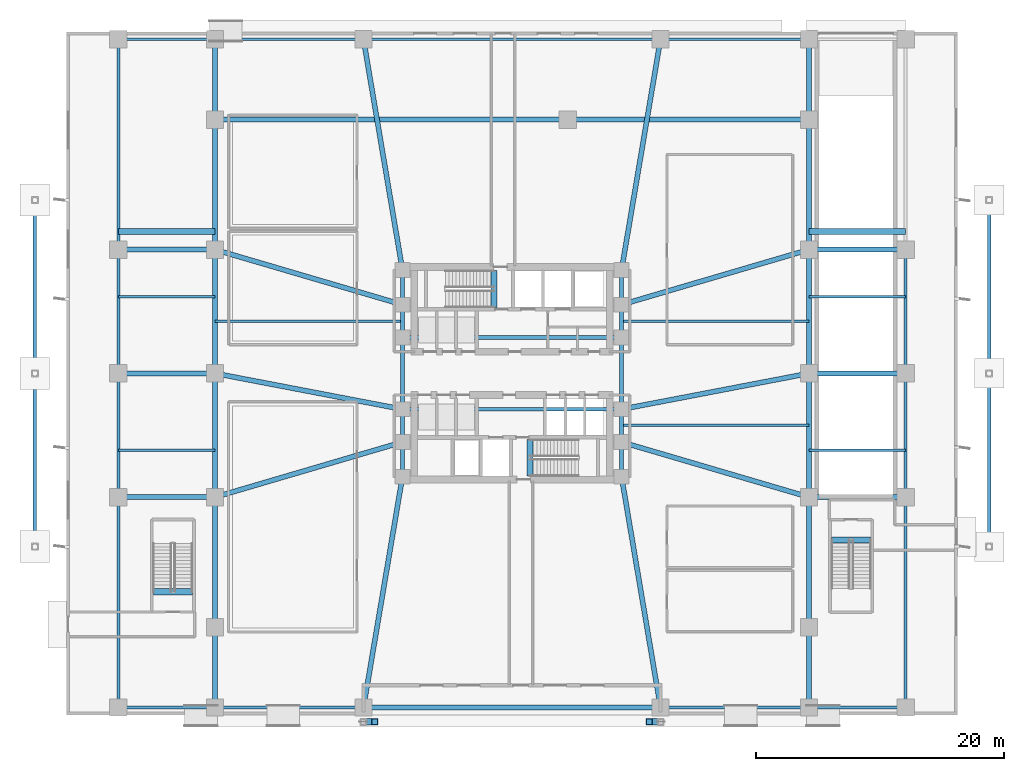
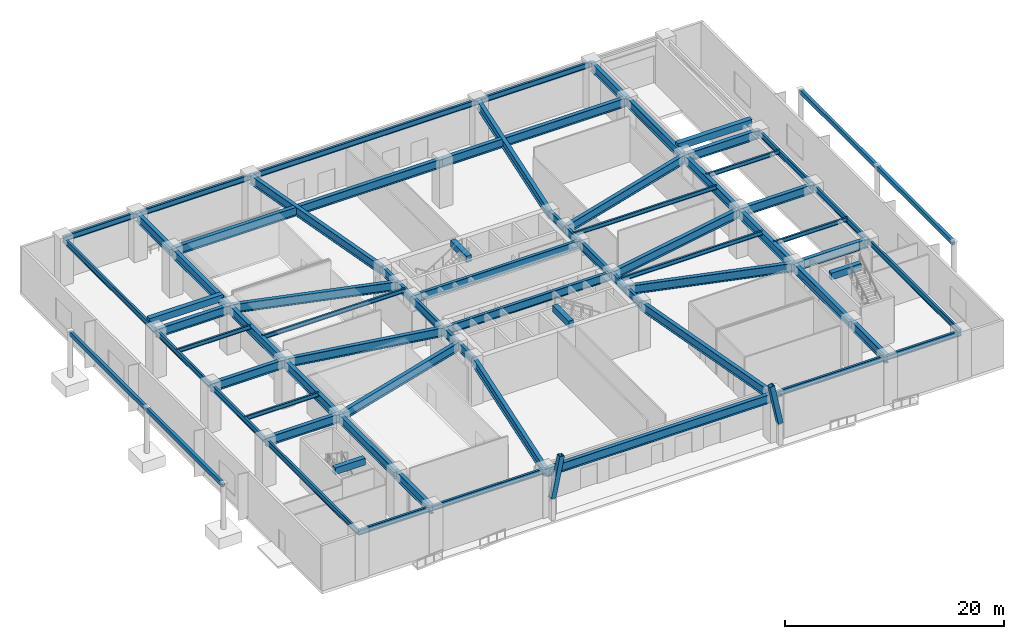
# One storey, part 6 of 20: 75 beams, 2 members.
"""IFC4 building model written with IfcOpenShell, lengths in metres."""

from ifc_helpers import new_model, si_unit, direction, frame, origin, origin_2d, place, context, subcontext, project, spatial, rectangle, hollow_rectangle, i_section, extrude, material, material_profile, profile_set, type_object, element, save


model = new_model("IFC4")

# Units and contexts
model_context = context("Model", 3, precision=1e-05, world=origin(), true_north=direction((0.0, 1.0)))
body_context = subcontext(model_context, "Body", "Model", "MODEL_VIEW")
ifc_project = project(units=[si_unit("LENGTHUNIT", "METRE"), si_unit("AREAUNIT", "SQUARE_METRE"), si_unit("VOLUMEUNIT", "CUBIC_METRE"), si_unit("PLANEANGLEUNIT", "RADIAN"), si_unit("MASSUNIT", "GRAM", prefix="KILO")], contexts=[model_context])

# Site, building, storey
site_placement = place(None, origin())
site = spatial("IfcSite", under=ifc_project, at=site_placement, CompositionType="ELEMENT")
building_placement = place(site_placement, origin())
building = spatial("IfcBuilding", under=site, at=building_placement, Name="Solmarez Civic Tower", CompositionType="ELEMENT")
storey_placement = place(building_placement, origin())
storey = spatial("IfcBuildingStorey", under=building, at=storey_placement, Name="L00", CompositionType="ELEMENT", Elevation=0.0)

# Beams
ifc_material_1 = material(Name="Steel S355", Category="steel")
ifc_material_profile_1 = material_profile(ifc_material_1, i_section(OverallWidth=0.19189453125, OverallDepth=0.462890625, WebThickness=0.010498046875, FlangeThickness=0.017578125, at=origin_2d()), Name="W18X60")
ifc_profile_set_1 = profile_set([ifc_material_profile_1], Name="Steel S355")
beam_type_1 = type_object("IfcBeamType", Name="BM-JS-W18X60", PredefinedType="JOIST", material=ifc_profile_set_1)
beam_1_placement = place(storey_placement, frame((8.85009765625, -4.199951171875, 4.84912109375), z_axis=(1.0, 0.0, 0.0), x_axis=(0.0, 1.0, 0.0)))
element("IfcBeam", 1, at=beam_1_placement, inside=storey, type_object=beam_type_1, Name="L00 Secondary Floor Joist JS-L00-EM1", PredefinedType="JOIST", context=body_context, shape_type="SweptSolid", body=[
    extrude(i_section(OverallWidth=0.19189453125, OverallDepth=0.462890625, WebThickness=0.010498046875, FlangeThickness=0.017578125, at=origin_2d()), origin(), (0.0, 0.0, 1.0), 15.14990234375),
])
for number, where, z_axis, x_axis, name in (
    (2, (-31.800048828125, -6.199951171875, 4.84912109375), (1.0, 0.0, 0.0), (0.0, 1.0, 0.0), "L00 Secondary Floor Joist JS-L00-WW1"),
    (3, (24.0, -6.199951171875, 4.84912109375), (1.0, 0.0, 0.0), (0.0, 1.0, 0.0), "L00 Secondary Floor Joist JS-L00-EE1"),
):
    element("IfcBeam", number, at=place(storey_placement, frame(where, z_axis=z_axis, x_axis=x_axis)), inside=storey, type_object=beam_type_1, Name=name, PredefinedType="JOIST", context=body_context, shape_type="SweptSolid", body=[
        extrude(i_section(OverallWidth=0.19189453125, OverallDepth=0.462890625, WebThickness=0.010498046875, FlangeThickness=0.017578125, at=origin_2d()), origin(), (0.0, 0.0, 1.0), 7.800048828125),
    ])
for number, where, z_axis, x_axis, name in (
    (4, (-24.0, 4.199951171875, 4.84912109375), (1.0, 0.0, 0.0), (0.0, 1.0, 0.0), "L00 Secondary Floor Joist JS-L00-WM2"),
    (5, (8.85009765625, 4.199951171875, 4.84912109375), (1.0, 0.0, 0.0), (0.0, 1.0, 0.0), "L00 Secondary Floor Joist JS-L00-EM2"),
):
    element("IfcBeam", number, at=place(storey_placement, frame(where, z_axis=z_axis, x_axis=x_axis)), inside=storey, type_object=beam_type_1, Name=name, PredefinedType="JOIST", context=body_context, shape_type="SweptSolid", body=[
        extrude(i_section(OverallWidth=0.19189453125, OverallDepth=0.462890625, WebThickness=0.010498046875, FlangeThickness=0.017578125, at=origin_2d()), origin(), (0.0, 0.0, 1.0), 15.14990234375),
    ])
for number, where, z_axis, x_axis, name in (
    (6, (-31.800048828125, 6.199951171875, 4.84912109375), (1.0, 0.0, 0.0), (0.0, 1.0, 0.0), "L00 Secondary Floor Joist JS-L00-WW2"),
    (7, (24.0, 6.199951171875, 4.84912109375), (1.0, 0.0, 0.0), (0.0, 1.0, 0.0), "L00 Secondary Floor Joist JS-L00-EE2"),
):
    element("IfcBeam", number, at=place(storey_placement, frame(where, z_axis=z_axis, x_axis=x_axis)), inside=storey, type_object=beam_type_1, Name=name, PredefinedType="JOIST", context=body_context, shape_type="SweptSolid", body=[
        extrude(i_section(OverallWidth=0.19189453125, OverallDepth=0.462890625, WebThickness=0.010498046875, FlangeThickness=0.017578125, at=origin_2d()), origin(), (0.0, 0.0, 1.0), 7.800048828125),
    ])
ifc_material_2 = material(Name="Concrete C50/60", Category="concrete")
ifc_material_profile_2 = material_profile(ifc_material_2, rectangle(XDim=0.5, YDim=0.75, at=origin_2d()), Name="RC500X750")
ifc_profile_set_2 = profile_set([ifc_material_profile_2], Name="Concrete C50/60")
beam_type_2 = type_object("IfcBeamType", Name="BM-PR-RC500X750", PredefinedType="BEAM", material=ifc_profile_set_2)
for number, where, z_axis, x_axis, name in (
    (8, (-1.449951171875, 5.340087890625, 5.032958984375), (0.0, 1.0, 0.0), (-1.0, 0.0, 0.0), "L00 North Stair Threshold Beam"),
    (9, (1.449951171875, -8.300048828125, 5.032958984375), (0.0, 1.0, 0.0), (-1.0, 0.0, 0.0), "L00 South Stair Threshold Beam"),
):
    element("IfcBeam", number, at=place(storey_placement, frame(where, z_axis=z_axis, x_axis=x_axis)), inside=storey, type_object=beam_type_2, Name=name, PredefinedType="BEAM", context=body_context, shape_type="SweptSolid", body=[
        extrude(rectangle(XDim=0.5, YDim=0.75, at=origin_2d()), origin(), (0.0, 0.0, 1.0), 2.9599609375),
    ])
for number, where, z_axis, x_axis, name in (
    (10, (-28.97998046875, -17.64990234375, 5.031005859375), (1.0, 0.0, 0.0), (0.0, 1.0, 0.0), "L00 West Podium Stair Threshold Beam"),
    (11, (25.820068359375, -13.449951171875, 5.031005859375), (1.0, 0.0, 0.0), (0.0, 1.0, 0.0), "L00 East Podium Stair Threshold Beam"),
):
    element("IfcBeam", number, at=place(storey_placement, frame(where, z_axis=z_axis, x_axis=x_axis)), inside=storey, type_object=beam_type_2, Name=name, PredefinedType="BEAM", context=body_context, shape_type="SweptSolid", body=[
        extrude(rectangle(XDim=0.5, YDim=0.75, at=origin_2d()), origin(), (0.0, 0.0, 1.0), 3.159912109375),
    ])
for number, where, z_axis, x_axis, name in (
    (12, (-31.800048828125, 11.449951171875, 5.031005859375), (1.0, 0.0, 0.0), (0.0, 1.0, 0.0), "L00 Atrium Stair Bottom Threshold Beam P3"),
    (13, (24.0, 11.449951171875, 5.031005859375), (1.0, 0.0, 0.0), (0.0, 1.0, 0.0), "L00 Atrium Stair Bottom Threshold Beam P4"),
):
    element("IfcBeam", number, at=place(storey_placement, frame(where, z_axis=z_axis, x_axis=x_axis)), inside=storey, type_object=beam_type_2, Name=name, PredefinedType="BEAM", context=body_context, shape_type="SweptSolid", body=[
        extrude(rectangle(XDim=0.5, YDim=0.75, at=origin_2d()), origin(), (0.0, 0.0, 1.0), 7.800048828125),
    ])
ifc_material_profile_3 = material_profile(ifc_material_1, i_section(OverallWidth=0.306884765625, OverallDepth=0.927001953125, WebThickness=0.019287109375, FlangeThickness=0.031982421875, at=origin_2d()), Name="W36X194")
ifc_profile_set_3 = profile_set([ifc_material_profile_3], Name="Steel S355")
beam_type_3 = type_object("IfcBeamType", Name="BM-PR-W36X194", PredefinedType="BEAM", material=ifc_profile_set_3)
beam_2_placement = place(storey_placement, frame((-8.85009765625, -8.35009765625, 4.616943359375), z_axis=(0.0, 1.0, 0.0), x_axis=(-1.0, 0.0, 0.0)))
element("IfcBeam", 14, at=beam_2_placement, inside=storey, type_object=beam_type_3, Name="L00 Primary Floor Beam BM-L00-HC12-HC1", PredefinedType="BEAM", context=body_context, shape_type="SweptSolid", body=[
    extrude(i_section(OverallWidth=0.306884765625, OverallDepth=0.927001953125, WebThickness=0.019287109375, FlangeThickness=0.031982421875, at=origin_2d()), origin(), (0.0, 0.0, 1.0), 2.800048828125),
])
beam_3_placement = place(storey_placement, frame((-8.85009765625, -5.550048828125, 4.616943359375), z_axis=(0.0, 1.0, 0.0), x_axis=(-1.0, 0.0, 0.0)))
element("IfcBeam", 15, at=beam_3_placement, inside=storey, type_object=beam_type_3, Name="L00 Primary Floor Beam BM-L00-HC1-HC2", PredefinedType="BEAM", context=body_context, shape_type="SweptSolid", body=[
    extrude(i_section(OverallWidth=0.306884765625, OverallDepth=0.927001953125, WebThickness=0.019287109375, FlangeThickness=0.031982421875, at=origin_2d()), origin(), (0.0, 0.0, 1.0), 2.650146484375),
])
beam_4_placement = place(storey_placement, frame((-8.85009765625, -2.89990234375, 4.616943359375), z_axis=(0.0, 1.0, 0.0), x_axis=(-1.0, 0.0, 0.0)))
element("IfcBeam", 16, at=beam_4_placement, inside=storey, type_object=beam_type_3, Name="L00 Primary Floor Beam BM-L00-HC2-HC3", PredefinedType="BEAM", context=body_context, shape_type="SweptSolid", body=[
    extrude(i_section(OverallWidth=0.306884765625, OverallDepth=0.927001953125, WebThickness=0.019287109375, FlangeThickness=0.031982421875, at=origin_2d()), origin(), (0.0, 0.0, 1.0), 5.7998046875),
])
beam_5_placement = place(storey_placement, frame((-8.85009765625, 2.89990234375, 4.616943359375), z_axis=(0.0, 1.0, 0.0), x_axis=(-1.0, 0.0, 0.0)))
element("IfcBeam", 17, at=beam_5_placement, inside=storey, type_object=beam_type_3, Name="L00 Primary Floor Beam BM-L00-HC3-HC4", PredefinedType="BEAM", context=body_context, shape_type="SweptSolid", body=[
    extrude(i_section(OverallWidth=0.306884765625, OverallDepth=0.927001953125, WebThickness=0.019287109375, FlangeThickness=0.031982421875, at=origin_2d()), origin(), (0.0, 0.0, 1.0), 2.650146484375),
])
for number, where, z_axis, x_axis, name in (
    (18, (-8.85009765625, 5.550048828125, 4.616943359375), (0.0, 1.0, 0.0), (-1.0, 0.0, 0.0), "L00 Primary Floor Beam BM-L00-HC4-HC9"),
    (19, (8.85009765625, -8.35009765625, 4.616943359375), (0.0, 1.0, 0.0), (-1.0, 0.0, 0.0), "L00 Primary Floor Beam BM-L00-HC10-HC5"),
):
    element("IfcBeam", number, at=place(storey_placement, frame(where, z_axis=z_axis, x_axis=x_axis)), inside=storey, type_object=beam_type_3, Name=name, PredefinedType="BEAM", context=body_context, shape_type="SweptSolid", body=[
        extrude(i_section(OverallWidth=0.306884765625, OverallDepth=0.927001953125, WebThickness=0.019287109375, FlangeThickness=0.031982421875, at=origin_2d()), origin(), (0.0, 0.0, 1.0), 2.800048828125),
    ])
beam_6_placement = place(storey_placement, frame((8.85009765625, -5.550048828125, 4.616943359375), z_axis=(0.0, 1.0, 0.0), x_axis=(-1.0, 0.0, 0.0)))
element("IfcBeam", 20, at=beam_6_placement, inside=storey, type_object=beam_type_3, Name="L00 Primary Floor Beam BM-L00-HC5-HC6", PredefinedType="BEAM", context=body_context, shape_type="SweptSolid", body=[
    extrude(i_section(OverallWidth=0.306884765625, OverallDepth=0.927001953125, WebThickness=0.019287109375, FlangeThickness=0.031982421875, at=origin_2d()), origin(), (0.0, 0.0, 1.0), 2.650146484375),
])
beam_7_placement = place(storey_placement, frame((8.85009765625, -2.89990234375, 4.616943359375), z_axis=(0.0, 1.0, 0.0), x_axis=(-1.0, 0.0, 0.0)))
element("IfcBeam", 21, at=beam_7_placement, inside=storey, type_object=beam_type_3, Name="L00 Primary Floor Beam BM-L00-HC6-HC7", PredefinedType="BEAM", context=body_context, shape_type="SweptSolid", body=[
    extrude(i_section(OverallWidth=0.306884765625, OverallDepth=0.927001953125, WebThickness=0.019287109375, FlangeThickness=0.031982421875, at=origin_2d()), origin(), (0.0, 0.0, 1.0), 5.7998046875),
])
beam_8_placement = place(storey_placement, frame((8.85009765625, 2.89990234375, 4.616943359375), z_axis=(0.0, 1.0, 0.0), x_axis=(-1.0, 0.0, 0.0)))
element("IfcBeam", 22, at=beam_8_placement, inside=storey, type_object=beam_type_3, Name="L00 Primary Floor Beam BM-L00-HC7-HC8", PredefinedType="BEAM", context=body_context, shape_type="SweptSolid", body=[
    extrude(i_section(OverallWidth=0.306884765625, OverallDepth=0.927001953125, WebThickness=0.019287109375, FlangeThickness=0.031982421875, at=origin_2d()), origin(), (0.0, 0.0, 1.0), 2.650146484375),
])
beam_9_placement = place(storey_placement, frame((8.85009765625, 5.550048828125, 4.616943359375), z_axis=(0.0, 1.0, 0.0), x_axis=(-1.0, 0.0, 0.0)))
element("IfcBeam", 23, at=beam_9_placement, inside=storey, type_object=beam_type_3, Name="L00 Primary Floor Beam BM-L00-HC8-HC11", PredefinedType="BEAM", context=body_context, shape_type="SweptSolid", body=[
    extrude(i_section(OverallWidth=0.306884765625, OverallDepth=0.927001953125, WebThickness=0.019287109375, FlangeThickness=0.031982421875, at=origin_2d()), origin(), (0.0, 0.0, 1.0), 2.800048828125),
])
for number, where, z_axis, x_axis, name in (
    (24, (-8.85009765625, -2.89990234375, 4.616943359375), (1.0, 0.0, 0.0), (0.0, 1.0, 0.0), "L00 Primary Floor Beam BM-L00-HC2-HC6"),
    (25, (-8.85009765625, 2.89990234375, 4.616943359375), (1.0, 0.0, 0.0), (0.0, 1.0, 0.0), "L00 Primary Floor Beam BM-L00-HC3-HC7"),
):
    element("IfcBeam", number, at=place(storey_placement, frame(where, z_axis=z_axis, x_axis=x_axis)), inside=storey, type_object=beam_type_3, Name=name, PredefinedType="BEAM", context=body_context, shape_type="SweptSolid", body=[
        extrude(i_section(OverallWidth=0.306884765625, OverallDepth=0.927001953125, WebThickness=0.019287109375, FlangeThickness=0.031982421875, at=origin_2d()), origin(), (0.0, 0.0, 1.0), 17.7001953125),
    ])
ifc_material_profile_4 = material_profile(ifc_material_1, i_section(OverallWidth=0.39892578125, OverallDepth=0.98193359375, WebThickness=0.0166015625, FlangeThickness=0.027099609375, at=origin_2d()), Name="W40X199")
ifc_profile_set_4 = profile_set([ifc_material_profile_4], Name="Steel S355")
beam_type_4 = type_object("IfcBeamType", Name="BM-PR-W40X199", PredefinedType="BEAM", material=ifc_profile_set_4)
beam_10_placement = place(storey_placement, frame((-12.0, -27.0, 4.589111328125), z_axis=(1.0, 0.0, 0.0), x_axis=(0.0, 1.0, 0.0)))
element("IfcBeam", 26, at=beam_10_placement, inside=storey, type_object=beam_type_4, Name="L00 Primary Floor Beam BM-L00-PC03-PC04", PredefinedType="BEAM", context=body_context, shape_type="SweptSolid", body=[
    extrude(i_section(OverallWidth=0.39892578125, OverallDepth=0.98193359375, WebThickness=0.0166015625, FlangeThickness=0.027099609375, at=origin_2d()), origin(), (0.0, 0.0, 1.0), 24.0),
])
beam_11_placement = place(storey_placement, frame((-24.0, 20.5, 4.589111328125), z_axis=(1.0, 0.0, 0.0), x_axis=(0.0, 1.0, 0.0)))
element("IfcBeam", 27, at=beam_11_placement, inside=storey, type_object=beam_type_4, Name="L00 Primary Floor Beam BM-L00-PC29-PC25", PredefinedType="BEAM", context=body_context, shape_type="SweptSolid", body=[
    extrude(i_section(OverallWidth=0.39892578125, OverallDepth=0.98193359375, WebThickness=0.0166015625, FlangeThickness=0.027099609375, at=origin_2d()), origin(), (0.0, 0.0, 1.0), 28.5),
])
beam_12_placement = place(storey_placement, frame((4.5, 20.5, 4.589111328125), z_axis=(1.0, 0.0, 0.0), x_axis=(0.0, 1.0, 0.0)))
element("IfcBeam", 28, at=beam_12_placement, inside=storey, type_object=beam_type_4, Name="L00 Primary Floor Beam BM-L00-PC25-PC30", PredefinedType="BEAM", context=body_context, shape_type="SweptSolid", body=[
    extrude(i_section(OverallWidth=0.39892578125, OverallDepth=0.98193359375, WebThickness=0.0166015625, FlangeThickness=0.027099609375, at=origin_2d()), origin(), (0.0, 0.0, 1.0), 19.5),
])
beam_13_placement = place(storey_placement, frame((-24.0, -27.0, 4.589111328125), z_axis=(0.0, 1.0, 0.0), x_axis=(-1.0, 0.0, 0.0)))
element("IfcBeam", 29, at=beam_13_placement, inside=storey, type_object=beam_type_4, Name="L00 Primary Floor Beam BM-L00-PC02-PC27", PredefinedType="BEAM", context=body_context, shape_type="SweptSolid", body=[
    extrude(i_section(OverallWidth=0.39892578125, OverallDepth=0.98193359375, WebThickness=0.0166015625, FlangeThickness=0.027099609375, at=origin_2d()), origin(), (0.0, 0.0, 1.0), 6.5),
])
beam_14_placement = place(storey_placement, frame((-24.0, -20.5, 4.589111328125), z_axis=(0.0, 1.0, 0.0), x_axis=(-1.0, 0.0, 0.0)))
element("IfcBeam", 30, at=beam_14_placement, inside=storey, type_object=beam_type_4, Name="L00 Primary Floor Beam BM-L00-PC27-PC19", PredefinedType="BEAM", context=body_context, shape_type="SweptSolid", body=[
    extrude(i_section(OverallWidth=0.39892578125, OverallDepth=0.98193359375, WebThickness=0.0166015625, FlangeThickness=0.027099609375, at=origin_2d()), origin(), (0.0, 0.0, 1.0), 10.5),
])
for number, where, z_axis, x_axis, name in (
    (31, (-24.0, -10.0, 4.589111328125), (0.0, 1.0, 0.0), (-1.0, 0.0, 0.0), "L00 Primary Floor Beam BM-L00-PC19-PC20"),
    (32, (-24.0, 0.0, 4.589111328125), (0.0, 1.0, 0.0), (-1.0, 0.0, 0.0), "L00 Primary Floor Beam BM-L00-PC20-PC21"),
):
    element("IfcBeam", number, at=place(storey_placement, frame(where, z_axis=z_axis, x_axis=x_axis)), inside=storey, type_object=beam_type_4, Name=name, PredefinedType="BEAM", context=body_context, shape_type="SweptSolid", body=[
        extrude(i_section(OverallWidth=0.39892578125, OverallDepth=0.98193359375, WebThickness=0.0166015625, FlangeThickness=0.027099609375, at=origin_2d()), origin(), (0.0, 0.0, 1.0), 10.0),
    ])
beam_15_placement = place(storey_placement, frame((-24.0, 10.0, 4.589111328125), z_axis=(0.0, 1.0, 0.0), x_axis=(-1.0, 0.0, 0.0)))
element("IfcBeam", 33, at=beam_15_placement, inside=storey, type_object=beam_type_4, Name="L00 Primary Floor Beam BM-L00-PC21-PC29", PredefinedType="BEAM", context=body_context, shape_type="SweptSolid", body=[
    extrude(i_section(OverallWidth=0.39892578125, OverallDepth=0.98193359375, WebThickness=0.0166015625, FlangeThickness=0.027099609375, at=origin_2d()), origin(), (0.0, 0.0, 1.0), 10.5),
])
for number, where, z_axis, x_axis, name in (
    (34, (-24.0, 20.5, 4.589111328125), (0.0, 1.0, 0.0), (-1.0, 0.0, 0.0), "L00 Primary Floor Beam BM-L00-PC29-PC08"),
    (35, (24.0, -27.0, 4.589111328125), (0.0, 1.0, 0.0), (-1.0, 0.0, 0.0), "L00 Primary Floor Beam BM-L00-PC05-PC28"),
):
    element("IfcBeam", number, at=place(storey_placement, frame(where, z_axis=z_axis, x_axis=x_axis)), inside=storey, type_object=beam_type_4, Name=name, PredefinedType="BEAM", context=body_context, shape_type="SweptSolid", body=[
        extrude(i_section(OverallWidth=0.39892578125, OverallDepth=0.98193359375, WebThickness=0.0166015625, FlangeThickness=0.027099609375, at=origin_2d()), origin(), (0.0, 0.0, 1.0), 6.5),
    ])
beam_16_placement = place(storey_placement, frame((24.0, -20.5, 4.589111328125), z_axis=(0.0, 1.0, 0.0), x_axis=(-1.0, 0.0, 0.0)))
element("IfcBeam", 36, at=beam_16_placement, inside=storey, type_object=beam_type_4, Name="L00 Primary Floor Beam BM-L00-PC28-PC22", PredefinedType="BEAM", context=body_context, shape_type="SweptSolid", body=[
    extrude(i_section(OverallWidth=0.39892578125, OverallDepth=0.98193359375, WebThickness=0.0166015625, FlangeThickness=0.027099609375, at=origin_2d()), origin(), (0.0, 0.0, 1.0), 10.5),
])
for number, where, z_axis, x_axis, name in (
    (37, (24.0, -10.0, 4.589111328125), (0.0, 1.0, 0.0), (-1.0, 0.0, 0.0), "L00 Primary Floor Beam BM-L00-PC22-PC23"),
    (38, (24.0, 0.0, 4.589111328125), (0.0, 1.0, 0.0), (-1.0, 0.0, 0.0), "L00 Primary Floor Beam BM-L00-PC23-PC24"),
):
    element("IfcBeam", number, at=place(storey_placement, frame(where, z_axis=z_axis, x_axis=x_axis)), inside=storey, type_object=beam_type_4, Name=name, PredefinedType="BEAM", context=body_context, shape_type="SweptSolid", body=[
        extrude(i_section(OverallWidth=0.39892578125, OverallDepth=0.98193359375, WebThickness=0.0166015625, FlangeThickness=0.027099609375, at=origin_2d()), origin(), (0.0, 0.0, 1.0), 10.0),
    ])
beam_17_placement = place(storey_placement, frame((24.0, 10.0, 4.589111328125), z_axis=(0.0, 1.0, 0.0), x_axis=(-1.0, 0.0, 0.0)))
element("IfcBeam", 39, at=beam_17_placement, inside=storey, type_object=beam_type_4, Name="L00 Primary Floor Beam BM-L00-PC24-PC30", PredefinedType="BEAM", context=body_context, shape_type="SweptSolid", body=[
    extrude(i_section(OverallWidth=0.39892578125, OverallDepth=0.98193359375, WebThickness=0.0166015625, FlangeThickness=0.027099609375, at=origin_2d()), origin(), (0.0, 0.0, 1.0), 10.5),
])
beam_18_placement = place(storey_placement, frame((24.0, 20.5, 4.589111328125), z_axis=(0.0, 1.0, 0.0), x_axis=(-1.0, 0.0, 0.0)))
element("IfcBeam", 40, at=beam_18_placement, inside=storey, type_object=beam_type_4, Name="L00 Primary Floor Beam BM-L00-PC30-PC11", PredefinedType="BEAM", context=body_context, shape_type="SweptSolid", body=[
    extrude(i_section(OverallWidth=0.39892578125, OverallDepth=0.98193359375, WebThickness=0.0166015625, FlangeThickness=0.027099609375, at=origin_2d()), origin(), (0.0, 0.0, 1.0), 6.5),
])
for number, where, z_axis, x_axis, name in (
    (41, (-31.800048828125, -10.0, 4.589111328125), (1.0, 0.0, 0.0), (0.0, 1.0, 0.0), "L00 Primary Floor Beam BM-L00-PC13-PC19"),
    (42, (-31.800048828125, 0.0, 4.589111328125), (1.0, 0.0, 0.0), (0.0, 1.0, 0.0), "L00 Primary Floor Beam BM-L00-PC14-PC20"),
    (43, (-31.800048828125, 10.0, 4.589111328125), (1.0, 0.0, 0.0), (0.0, 1.0, 0.0), "L00 Primary Floor Beam BM-L00-PC15-PC21"),
    (44, (31.800048828125, -10.0, 4.589111328125), (-1.0, 0.0, 0.0), (0.0, -1.0, 0.0), "L00 Primary Floor Beam BM-L00-PC16-PC22"),
    (45, (31.800048828125, 0.0, 4.589111328125), (-1.0, 0.0, 0.0), (0.0, -1.0, 0.0), "L00 Primary Floor Beam BM-L00-PC17-PC23"),
    (46, (31.800048828125, 10.0, 4.589111328125), (-1.0, 0.0, 0.0), (0.0, -1.0, 0.0), "L00 Primary Floor Beam BM-L00-PC18-PC24"),
):
    element("IfcBeam", number, at=place(storey_placement, frame(where, z_axis=z_axis, x_axis=x_axis)), inside=storey, type_object=beam_type_4, Name=name, PredefinedType="BEAM", context=body_context, shape_type="SweptSolid", body=[
        extrude(i_section(OverallWidth=0.39892578125, OverallDepth=0.98193359375, WebThickness=0.0166015625, FlangeThickness=0.027099609375, at=origin_2d()), origin(), (0.0, 0.0, 1.0), 7.800048828125),
    ])
beam_19_placement = place(storey_placement, frame((-24.0, -10.0, 4.589111328125), z_axis=(0.959466630969, 0.281822256143, 0.0), x_axis=(-0.281822256143, 0.959466630969, 0.0)))
element("IfcBeam", 47, at=beam_19_placement, inside=storey, type_object=beam_type_4, Name="L00 Primary Floor Beam BM-L00-PC19-HC1", PredefinedType="BEAM", context=body_context, shape_type="SweptSolid", body=[
    extrude(i_section(OverallWidth=0.39892578125, OverallDepth=0.98193359375, WebThickness=0.0166015625, FlangeThickness=0.027099609375, at=origin_2d()), origin(), (0.0, 0.0, 1.0), 15.7900390625),
])
beam_20_placement = place(storey_placement, frame((-24.0, 0.0, 4.589111328125), z_axis=(0.982168874333, -0.188000803966, 0.0), x_axis=(0.188000803966, 0.982168874333, 0.0)))
element("IfcBeam", 48, at=beam_20_placement, inside=storey, type_object=beam_type_4, Name="L00 Primary Floor Beam BM-L00-PC20-HC2", PredefinedType="BEAM", context=body_context, shape_type="SweptSolid", body=[
    extrude(i_section(OverallWidth=0.39892578125, OverallDepth=0.98193359375, WebThickness=0.0166015625, FlangeThickness=0.027099609375, at=origin_2d()), origin(), (0.0, 0.0, 1.0), 15.425048828125),
])
for number, where, z_axis, x_axis, name in (
    (49, (-24.0, 10.0, 4.589111328125), (0.959466630969, -0.281822256143, 0.0), (0.281822256143, 0.959466630969, 0.0), "L00 Primary Floor Beam BM-L00-PC21-HC4"),
    (50, (24.0, -10.0, 4.589111328125), (-0.959466630969, 0.281822256143, 0.0), (-0.281822256143, -0.959466630969, 0.0), "L00 Primary Floor Beam BM-L00-PC22-HC5"),
):
    element("IfcBeam", number, at=place(storey_placement, frame(where, z_axis=z_axis, x_axis=x_axis)), inside=storey, type_object=beam_type_4, Name=name, PredefinedType="BEAM", context=body_context, shape_type="SweptSolid", body=[
        extrude(i_section(OverallWidth=0.39892578125, OverallDepth=0.98193359375, WebThickness=0.0166015625, FlangeThickness=0.027099609375, at=origin_2d()), origin(), (0.0, 0.0, 1.0), 15.7900390625),
    ])
beam_21_placement = place(storey_placement, frame((24.0, 0.0, 4.589111328125), z_axis=(-0.982168874333, -0.188000803966, 0.0), x_axis=(0.188000803966, -0.982168874333, 0.0)))
element("IfcBeam", 51, at=beam_21_placement, inside=storey, type_object=beam_type_4, Name="L00 Primary Floor Beam BM-L00-PC23-HC6", PredefinedType="BEAM", context=body_context, shape_type="SweptSolid", body=[
    extrude(i_section(OverallWidth=0.39892578125, OverallDepth=0.98193359375, WebThickness=0.0166015625, FlangeThickness=0.027099609375, at=origin_2d()), origin(), (0.0, 0.0, 1.0), 15.425048828125),
])
beam_22_placement = place(storey_placement, frame((24.0, 10.0, 4.589111328125), z_axis=(-0.959466630969, -0.281822256143, 0.0), x_axis=(0.281822256143, -0.959466630969, 0.0)))
element("IfcBeam", 52, at=beam_22_placement, inside=storey, type_object=beam_type_4, Name="L00 Primary Floor Beam BM-L00-PC24-HC8", PredefinedType="BEAM", context=body_context, shape_type="SweptSolid", body=[
    extrude(i_section(OverallWidth=0.39892578125, OverallDepth=0.98193359375, WebThickness=0.0166015625, FlangeThickness=0.027099609375, at=origin_2d()), origin(), (0.0, 0.0, 1.0), 15.7900390625),
])
for number, where, z_axis, x_axis, name in (
    (53, (-12.0, -27.0, 4.589111328125), (0.166537824737, 0.986035066786, 0.0), (-0.986035066786, 0.166537824737, 0.0), "L00 Primary Floor Beam BM-L00-PC03-HC12"),
    (54, (12.0, -27.0, 4.589111328125), (-0.166537824737, 0.986035066786, 0.0), (-0.986035066786, -0.166537824737, 0.0), "L00 Primary Floor Beam BM-L00-PC04-HC10"),
    (55, (-12.0, 27.0, 4.589111328125), (0.166537824737, -0.986035066786, 0.0), (0.986035066786, 0.166537824737, 0.0), "L00 Primary Floor Beam BM-L00-PC09-HC9"),
    (56, (12.0, 27.0, 4.589111328125), (-0.166537824737, -0.986035066786, 0.0), (0.986035066786, -0.166537824737, 0.0), "L00 Primary Floor Beam BM-L00-PC10-HC11"),
):
    element("IfcBeam", number, at=place(storey_placement, frame(where, z_axis=z_axis, x_axis=x_axis)), inside=storey, type_object=beam_type_4, Name=name, PredefinedType="BEAM", context=body_context, shape_type="SweptSolid", body=[
        extrude(i_section(OverallWidth=0.39892578125, OverallDepth=0.98193359375, WebThickness=0.0166015625, FlangeThickness=0.027099609375, at=origin_2d()), origin(), (0.0, 0.0, 1.0), 18.9140625),
    ])
ifc_material_profile_5 = material_profile(ifc_material_1, hollow_rectangle(XDim=0.300048828125, YDim=0.5, WallThickness=0.02001953125, at=origin_2d()), Name="HSS500X300X20")
ifc_profile_set_5 = profile_set([ifc_material_profile_5], Name="Steel S355")
beam_type_5 = type_object("IfcBeamType", Name="BM-SP-HSS500X300", PredefinedType="SPANDREL", material=ifc_profile_set_5)
for number, where, z_axis, x_axis, name in (
    (57, (-38.550048828125, -14.0, 4.550048828125), (0.0, 1.0, 0.0), (-1.0, 0.0, 0.0), "L00 Plaza Canopy Edge Beam BM-CANOPY-W1"),
    (58, (-38.550048828125, 0.0, 4.550048828125), (0.0, 1.0, 0.0), (-1.0, 0.0, 0.0), "L00 Plaza Canopy Edge Beam BM-CANOPY-W2"),
    (59, (38.550048828125, -14.0, 4.550048828125), (0.0, 1.0, 0.0), (-1.0, 0.0, 0.0), "L00 Plaza Canopy Edge Beam BM-CANOPY-E1"),
    (60, (38.550048828125, 0.0, 4.550048828125), (0.0, 1.0, 0.0), (-1.0, 0.0, 0.0), "L00 Plaza Canopy Edge Beam BM-CANOPY-E2"),
):
    element("IfcBeam", number, at=place(storey_placement, frame(where, z_axis=z_axis, x_axis=x_axis)), inside=storey, type_object=beam_type_5, Name=name, PredefinedType="SPANDREL", context=body_context, shape_type="SweptSolid", body=[
        extrude(hollow_rectangle(XDim=0.300048828125, YDim=0.5, WallThickness=0.02001953125, at=origin_2d()), origin(), (0.0, 0.0, 1.0), 14.0),
    ])
ifc_material_profile_6 = material_profile(ifc_material_1, i_section(OverallWidth=0.22900390625, OverallDepth=0.612060546875, WebThickness=0.011962890625, FlangeThickness=0.01953125, at=origin_2d()), Name="W24X84")
ifc_profile_set_6 = profile_set([ifc_material_profile_6], Name="Steel S355")
beam_type_6 = type_object("IfcBeamType", Name="BM-SP-W24X84", PredefinedType="SPANDREL", material=ifc_profile_set_6)
beam_23_placement = place(storey_placement, frame((-31.800048828125, -27.0, 4.77392578125), z_axis=(1.0, 0.0, 0.0), x_axis=(0.0, 1.0, 0.0)))
element("IfcBeam", 61, at=beam_23_placement, inside=storey, type_object=beam_type_6, Name="L00 Perimeter Spandrel Beam BM-L00-PC01-PC02", PredefinedType="SPANDREL", context=body_context, shape_type="SweptSolid", body=[
    extrude(i_section(OverallWidth=0.22900390625, OverallDepth=0.612060546875, WebThickness=0.011962890625, FlangeThickness=0.01953125, at=origin_2d()), origin(), (0.0, 0.0, 1.0), 7.800048828125),
])
for number, where, z_axis, x_axis, name in (
    (62, (-24.0, -27.0, 4.77392578125), (1.0, 0.0, 0.0), (0.0, 1.0, 0.0), "L00 Perimeter Spandrel Beam BM-L00-PC02-PC03"),
    (63, (12.0, -27.0, 4.77392578125), (1.0, 0.0, 0.0), (0.0, 1.0, 0.0), "L00 Perimeter Spandrel Beam BM-L00-PC04-PC05"),
):
    element("IfcBeam", number, at=place(storey_placement, frame(where, z_axis=z_axis, x_axis=x_axis)), inside=storey, type_object=beam_type_6, Name=name, PredefinedType="SPANDREL", context=body_context, shape_type="SweptSolid", body=[
        extrude(i_section(OverallWidth=0.22900390625, OverallDepth=0.612060546875, WebThickness=0.011962890625, FlangeThickness=0.01953125, at=origin_2d()), origin(), (0.0, 0.0, 1.0), 12.0),
    ])
for number, where, z_axis, x_axis, name in (
    (64, (24.0, -27.0, 4.77392578125), (1.0, 0.0, 0.0), (0.0, 1.0, 0.0), "L00 Perimeter Spandrel Beam BM-L00-PC05-PC06"),
    (65, (-31.800048828125, 27.0, 4.77392578125), (1.0, 0.0, 0.0), (0.0, 1.0, 0.0), "L00 Perimeter Spandrel Beam BM-L00-PC07-PC08"),
):
    element("IfcBeam", number, at=place(storey_placement, frame(where, z_axis=z_axis, x_axis=x_axis)), inside=storey, type_object=beam_type_6, Name=name, PredefinedType="SPANDREL", context=body_context, shape_type="SweptSolid", body=[
        extrude(i_section(OverallWidth=0.22900390625, OverallDepth=0.612060546875, WebThickness=0.011962890625, FlangeThickness=0.01953125, at=origin_2d()), origin(), (0.0, 0.0, 1.0), 7.800048828125),
    ])
beam_24_placement = place(storey_placement, frame((-24.0, 27.0, 4.77392578125), z_axis=(1.0, 0.0, 0.0), x_axis=(0.0, 1.0, 0.0)))
element("IfcBeam", 66, at=beam_24_placement, inside=storey, type_object=beam_type_6, Name="L00 Perimeter Spandrel Beam BM-L00-PC08-PC09", PredefinedType="SPANDREL", context=body_context, shape_type="SweptSolid", body=[
    extrude(i_section(OverallWidth=0.22900390625, OverallDepth=0.612060546875, WebThickness=0.011962890625, FlangeThickness=0.01953125, at=origin_2d()), origin(), (0.0, 0.0, 1.0), 12.0),
])
beam_25_placement = place(storey_placement, frame((-12.0, 27.0, 4.77392578125), z_axis=(1.0, 0.0, 0.0), x_axis=(0.0, 1.0, 0.0)))
element("IfcBeam", 67, at=beam_25_placement, inside=storey, type_object=beam_type_6, Name="L00 Perimeter Spandrel Beam BM-L00-PC09-PC10", PredefinedType="SPANDREL", context=body_context, shape_type="SweptSolid", body=[
    extrude(i_section(OverallWidth=0.22900390625, OverallDepth=0.612060546875, WebThickness=0.011962890625, FlangeThickness=0.01953125, at=origin_2d()), origin(), (0.0, 0.0, 1.0), 24.0),
])
beam_26_placement = place(storey_placement, frame((12.0, 27.0, 4.77392578125), z_axis=(1.0, 0.0, 0.0), x_axis=(0.0, 1.0, 0.0)))
element("IfcBeam", 68, at=beam_26_placement, inside=storey, type_object=beam_type_6, Name="L00 Perimeter Spandrel Beam BM-L00-PC10-PC11", PredefinedType="SPANDREL", context=body_context, shape_type="SweptSolid", body=[
    extrude(i_section(OverallWidth=0.22900390625, OverallDepth=0.612060546875, WebThickness=0.011962890625, FlangeThickness=0.01953125, at=origin_2d()), origin(), (0.0, 0.0, 1.0), 12.0),
])
beam_27_placement = place(storey_placement, frame((-31.800048828125, -27.0, 4.77392578125), z_axis=(0.0, 1.0, 0.0), x_axis=(-1.0, 0.0, 0.0)))
element("IfcBeam", 69, at=beam_27_placement, inside=storey, type_object=beam_type_6, Name="L00 Perimeter Spandrel Beam BM-L00-PC01-PC13", PredefinedType="SPANDREL", context=body_context, shape_type="SweptSolid", body=[
    extrude(i_section(OverallWidth=0.22900390625, OverallDepth=0.612060546875, WebThickness=0.011962890625, FlangeThickness=0.01953125, at=origin_2d()), origin(), (0.0, 0.0, 1.0), 17.0),
])
for number, where, z_axis, x_axis, name in (
    (70, (-31.800048828125, -10.0, 4.77392578125), (0.0, 1.0, 0.0), (-1.0, 0.0, 0.0), "L00 Perimeter Spandrel Beam BM-L00-PC13-PC14"),
    (71, (-31.800048828125, 0.0, 4.77392578125), (0.0, 1.0, 0.0), (-1.0, 0.0, 0.0), "L00 Perimeter Spandrel Beam BM-L00-PC14-PC15"),
):
    element("IfcBeam", number, at=place(storey_placement, frame(where, z_axis=z_axis, x_axis=x_axis)), inside=storey, type_object=beam_type_6, Name=name, PredefinedType="SPANDREL", context=body_context, shape_type="SweptSolid", body=[
        extrude(i_section(OverallWidth=0.22900390625, OverallDepth=0.612060546875, WebThickness=0.011962890625, FlangeThickness=0.01953125, at=origin_2d()), origin(), (0.0, 0.0, 1.0), 10.0),
    ])
for number, where, z_axis, x_axis, name in (
    (72, (-31.800048828125, 10.0, 4.77392578125), (0.0, 1.0, 0.0), (-1.0, 0.0, 0.0), "L00 Perimeter Spandrel Beam BM-L00-PC15-PC07"),
    (73, (31.800048828125, -27.0, 4.77392578125), (0.0, 1.0, 0.0), (-1.0, 0.0, 0.0), "L00 Perimeter Spandrel Beam BM-L00-PC06-PC16"),
):
    element("IfcBeam", number, at=place(storey_placement, frame(where, z_axis=z_axis, x_axis=x_axis)), inside=storey, type_object=beam_type_6, Name=name, PredefinedType="SPANDREL", context=body_context, shape_type="SweptSolid", body=[
        extrude(i_section(OverallWidth=0.22900390625, OverallDepth=0.612060546875, WebThickness=0.011962890625, FlangeThickness=0.01953125, at=origin_2d()), origin(), (0.0, 0.0, 1.0), 17.0),
    ])
for number, where, z_axis, x_axis, name in (
    (74, (31.800048828125, -10.0, 4.77392578125), (0.0, 1.0, 0.0), (-1.0, 0.0, 0.0), "L00 Perimeter Spandrel Beam BM-L00-PC16-PC17"),
    (75, (31.800048828125, 0.0, 4.77392578125), (0.0, 1.0, 0.0), (-1.0, 0.0, 0.0), "L00 Perimeter Spandrel Beam BM-L00-PC17-PC18"),
):
    element("IfcBeam", number, at=place(storey_placement, frame(where, z_axis=z_axis, x_axis=x_axis)), inside=storey, type_object=beam_type_6, Name=name, PredefinedType="SPANDREL", context=body_context, shape_type="SweptSolid", body=[
        extrude(i_section(OverallWidth=0.22900390625, OverallDepth=0.612060546875, WebThickness=0.011962890625, FlangeThickness=0.01953125, at=origin_2d()), origin(), (0.0, 0.0, 1.0), 10.0),
    ])

# Members
ifc_material_profile_7 = material_profile(ifc_material_1, hollow_rectangle(XDim=0.5, YDim=0.5, WallThickness=0.02490234375, at=origin_2d()), Name="HSS500X500X25")
ifc_profile_set_7 = profile_set([ifc_material_profile_7], Name="Steel S355")
member_type = type_object("IfcMemberType", Name="MEM-ARCH-HSS500", PredefinedType="USERDEFINED", material=ifc_profile_set_7)
for number, where, z_axis, x_axis, name in (
    (76, (-12.0, -28.14990234375, 2.39990234375), (0.201469003502, 0.0, 0.979494890557), (0.0, 1.0, 0.0), "South Civic Arch Rib Segment 1"),
    (77, (11.0869140625, -28.14990234375, 6.839111328125), (0.201469003502, 0.0, -0.979494890557), (0.0, 1.0, 0.0), "South Civic Arch Rib Segment 8"),
):
    element("IfcMember", number, at=place(storey_placement, frame(where, z_axis=z_axis, x_axis=x_axis)), inside=storey, type_object=member_type, Name=name, ObjectType="ARCH_RIB", PredefinedType="USERDEFINED", context=body_context, shape_type="SweptSolid", body=[
        extrude(hollow_rectangle(XDim=0.5, YDim=0.5, WallThickness=0.02490234375, at=origin_2d()), origin(), (0.0, 0.0, 1.0), 4.5322265625),
    ])

save(model, "model.ifc")
